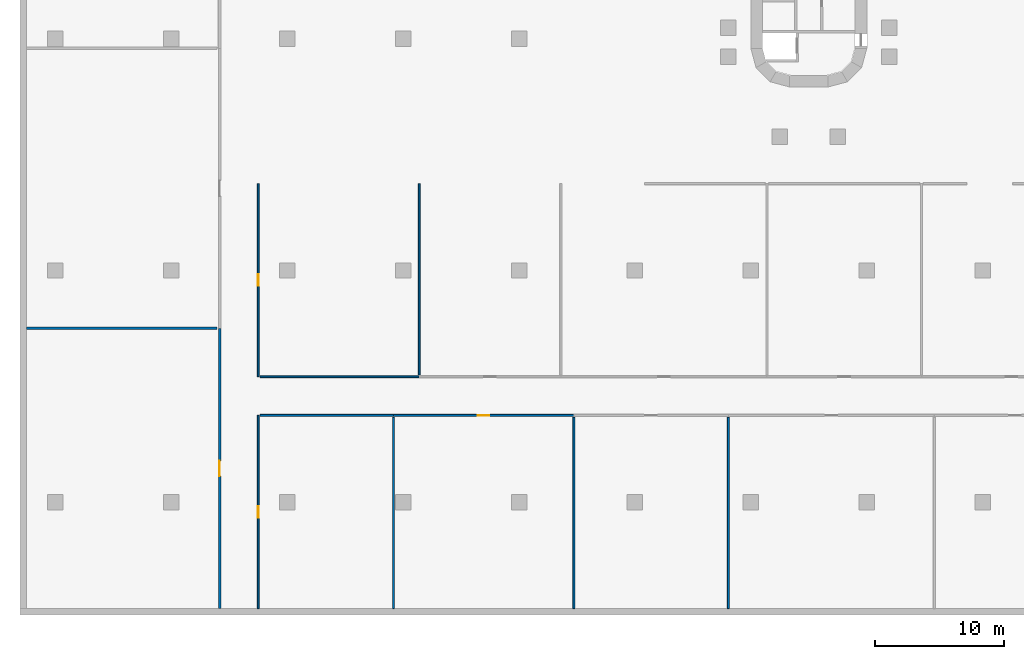
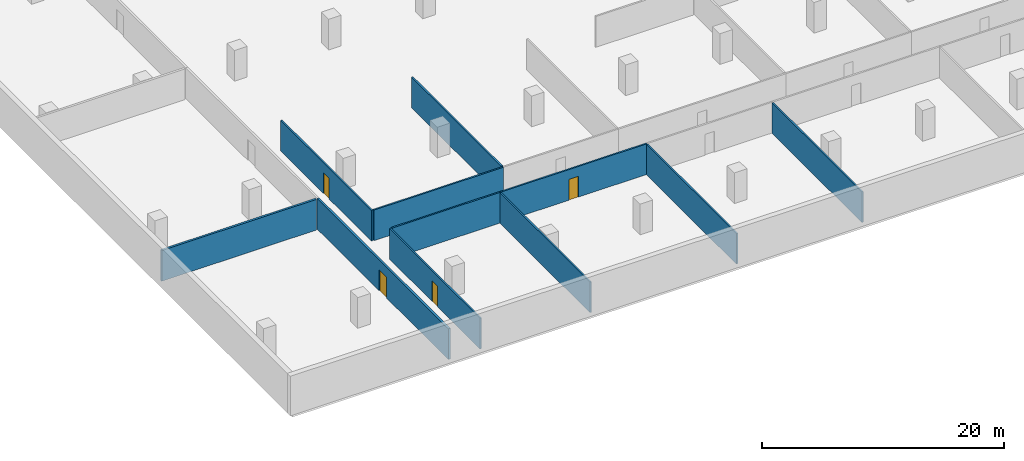
# One storey, part 2 of 11: 11 walls, 4 doors, 4 openings.
"""IFC4 building model written with IfcOpenShell, lengths in metres."""

import ifcopenshell
import ifcopenshell.guid

model = None  # the IFC model being written
_history = None  # IfcOwnerHistory: only IFC2X3 demands one
_inside = {}  # id of a spatial element -> (the spatial element, [elements in it])
_under = {}  # id of a project, library or spatial element -> (it, [spatial elements below it])
_declared = {}  # id of a project -> (the project, [libraries it declares])
_typed = {}  # id of a type object -> (the type object, [elements of that type])
_made_of = {}  # id of a material, layer set ... -> (it, [elements and type objects made of it])


def new_model(schema):
    """Start an empty IFC model of exactly this schema.

    Asked for "IFC4X3", IfcOpenShell would pick the latest addendum, in which some entities
    have other attributes; the version numbers below select the first issue.
    IFC2X3 requires an IfcOwnerHistory on every rooted entity: one is made here for all.
    """
    global model, _history
    if schema == "IFC4X3":
        model = ifcopenshell.file(schema_version=(4, 3, 0, 0))
    else:
        model = ifcopenshell.file(schema=schema)
    _inside.clear()
    _under.clear()
    _declared.clear()
    _typed.clear()
    _made_of.clear()
    _history = None
    if model.schema == "IFC2X3":
        org = make("IfcOrganization", Name="unknown")
        user = make(
            "IfcPersonAndOrganization",
            ThePerson=make("IfcPerson", FamilyName="unknown"),
            TheOrganization=org,
        )
        app = make(
            "IfcApplication",
            ApplicationDeveloper=org,
            Version="unknown",
            ApplicationFullName="unknown",
            ApplicationIdentifier="unknown",
        )
        _history = make(
            "IfcOwnerHistory",
            OwningUser=user,
            OwningApplication=app,
            ChangeAction="ADDED",
            CreationDate=0,
        )
    return model


def make(cls, **values):
    """One entity of the class cls with the attributes given. An attribute that is None is left unset."""
    return model.create_entity(
        cls, **{name: value for name, value in values.items() if value is not None}
    )


def rooted(cls, **values):
    """An entity with a GlobalId (a new one), such as an element, a storey or a relation."""
    return make(cls, GlobalId=ifcopenshell.guid.new(), OwnerHistory=_history, **values)


def si_unit(unit_type, name, prefix=None):
    """IfcSIUnit, for example si_unit("LENGTHUNIT", "METRE", prefix="MILLI")."""
    return make("IfcSIUnit", UnitType=unit_type, Prefix=prefix, Name=name)


def assignment(units):
    """IfcUnitAssignment: the units of a project."""
    return None if units is None else make("IfcUnitAssignment", Units=units)


def point(xyz):
    """IfcCartesianPoint."""
    return None if xyz is None else make("IfcCartesianPoint", Coordinates=xyz)


def direction(xyz):
    """IfcDirection."""
    return None if xyz is None else make("IfcDirection", DirectionRatios=xyz)


def frame(location, z_axis=None, x_axis=None):
    """IfcAxis2Placement3D, a coordinate frame: its origin and axes. An axis left out is left unset."""
    return make(
        "IfcAxis2Placement3D",
        Location=point(location),
        Axis=direction(z_axis),
        RefDirection=direction(x_axis),
    )


def frame_2d(location, x_axis=None):
    """IfcAxis2Placement2D, a coordinate frame in the plane: its origin and x axis."""
    return make(
        "IfcAxis2Placement2D", Location=point(location), RefDirection=direction(x_axis)
    )


def origin():
    """The frame at (0, 0, 0) with its axes left unset."""
    return frame((0.0, 0.0, 0.0))


def place(relative_to, where):
    """IfcLocalPlacement: puts the frame where relative to a parent placement (None: the world)."""
    return make(
        "IfcLocalPlacement", PlacementRelTo=relative_to, RelativePlacement=where
    )


def context(
    kind, dimensions, precision=None, world=None, true_north=None, identifier=None
):
    """IfcGeometricRepresentationContext, for example the 3D "Model" context."""
    return make(
        "IfcGeometricRepresentationContext",
        ContextIdentifier=identifier,
        ContextType=kind,
        CoordinateSpaceDimension=dimensions,
        Precision=precision,
        WorldCoordinateSystem=world,
        TrueNorth=true_north,
    )


def subcontext(parent, identifier, kind, view, scale=None):
    """IfcGeometricRepresentationSubContext, for example "Body" below "Model"."""
    return make(
        "IfcGeometricRepresentationSubContext",
        ContextIdentifier=identifier,
        ContextType=kind,
        ParentContext=parent,
        TargetScale=scale,
        TargetView=view,
    )


def project(units=None, contexts=None):
    """IfcProject with its units and contexts."""
    return rooted(
        "IfcProject",
        Name="project",
        RepresentationContexts=contexts,
        UnitsInContext=assignment(units),
    )


def spatial(cls, under=None, at=None, **own):
    """A site, building, storey or space (cls), placed at a placement, below another one or the project."""
    s = rooted(cls, ObjectPlacement=at, **own)
    if under is not None:
        _under.setdefault(under.id(), (under, []))[1].append(s)
    return s


def profile(cls, at=None, kind="AREA", **sizes):
    """A parametric profile (cls). Its sizes go by their IFC names, for example OverallWidth=200.0."""
    return make(cls, ProfileType=kind, Position=at, **sizes)


def rectangle(**sizes):
    """IfcRectangleProfileDef."""
    return profile("IfcRectangleProfileDef", **sizes)


def extrude(swept, where, along, depth):
    """IfcExtrudedAreaSolid: the profile swept, set in the frame where, extruded along a direction by depth."""
    return make(
        "IfcExtrudedAreaSolid",
        SweptArea=swept,
        Position=where,
        ExtrudedDirection=direction(along),
        Depth=depth,
    )


def shape(context_of_items, identifier, shape_type, items):
    """IfcShapeRepresentation: the items that make up one representation, for example the "Body"."""
    return make(
        "IfcShapeRepresentation",
        ContextOfItems=context_of_items,
        RepresentationIdentifier=identifier,
        RepresentationType=shape_type,
        Items=items,
    )


def material(Name=None, Category=None):
    """IfcMaterial."""
    return make("IfcMaterial", Name=Name, Category=Category)


def layer(
    of_material, thickness, ventilated=None, Name=None, Category=None, Priority=None
):
    """IfcMaterialLayer: one layer of a wall or slab, of a material (None: an air gap)."""
    return make(
        "IfcMaterialLayer",
        Material=of_material,
        LayerThickness=thickness,
        IsVentilated=ventilated,
        Name=Name,
        Category=Category,
        Priority=Priority,
    )


def layer_set(layers, Name=None):
    """IfcMaterialLayerSet."""
    return make("IfcMaterialLayerSet", MaterialLayers=layers, LayerSetName=Name)


def made_of(thing, what):
    """Note that an element or type object is made of a material, layer set ...; save() writes the relation."""
    if what is not None:
        _made_of.setdefault(what.id(), (what, []))[1].append(thing)
    return thing


def type_object(cls, material=None, **own):
    """A type object (cls), such as IfcWallType, which elements share."""
    return made_of(rooted(cls, **own), material)


def element(
    cls,
    number,
    at=None,
    inside=None,
    cuts=None,
    type_object=None,
    material=None,
    context=None,
    identifier="Body",
    shape_type=None,
    held_by="IfcProductDefinitionShape",
    body=None,
    shapes=None,
    **own,
):
    """One element of the class cls, such as IfcWall. Its Tag is "e" and its number.

    at: its placement. inside: the storey or other place that contains it. cuts: it is an
    opening in that element (IfcRelVoidsElement). A single representation is given by context,
    identifier, shape_type and body (its items); several are given by shapes. held_by: the class
    of the entity that holds the representations. save() writes the other relations.
    """
    e = rooted(cls, Tag="e%d" % number, ObjectPlacement=at, **own)
    if body is not None:
        shapes = [shape(context, identifier, shape_type, body)]
    if shapes is not None:
        e.Representation = make(held_by, Representations=shapes)
    if inside is not None:
        _inside.setdefault(inside.id(), (inside, []))[1].append(e)
    if cuts is not None:
        rooted(
            "IfcRelVoidsElement", RelatingBuildingElement=cuts, RelatedOpeningElement=e
        )
    if type_object is not None:
        _typed.setdefault(type_object.id(), (type_object, []))[1].append(e)
    return made_of(e, material)


def fill(opening, filler):
    """IfcRelFillsElement: the door or window that sits in an opening."""
    return rooted(
        "IfcRelFillsElement",
        RelatingOpeningElement=opening,
        RelatedBuildingElement=filler,
    )


def aggregate(whole, parts):
    """IfcRelAggregates: a whole, such as a stair, and the parts it consists of."""
    return rooted("IfcRelAggregates", RelatingObject=whole, RelatedObjects=parts)


def save(model, path):
    """Write the relations noted so far, then the file.

    IfcRelAggregates (storeys below a building ...), IfcRelContainedInSpatialStructure (elements
    in a storey), IfcRelDefinesByType, IfcRelAssociatesMaterial and IfcRelDeclares: one each for
    every whole, place, type object, material and project.
    """
    for whole, parts in _under.values():
        aggregate(whole, parts)
    for where, things in _inside.values():
        rooted(
            "IfcRelContainedInSpatialStructure",
            RelatedElements=things,
            RelatingStructure=where,
        )
    for kind, things in _typed.values():
        rooted("IfcRelDefinesByType", RelatedObjects=things, RelatingType=kind)
    for what, things in _made_of.values():
        rooted("IfcRelAssociatesMaterial", RelatedObjects=things, RelatingMaterial=what)
    for by, libraries in _declared.values():
        rooted("IfcRelDeclares", RelatingContext=by, RelatedDefinitions=libraries)
    model.write(path)


model = new_model("IFC4")

# Units and contexts
model_context = context("Model", 3, precision=1e-05, world=origin(), true_north=direction((0.0, 1.0)))
body_context = subcontext(model_context, "Body", "Model", "MODEL_VIEW")
ifc_project = project(units=[si_unit("LENGTHUNIT", "METRE"), si_unit("AREAUNIT", "SQUARE_METRE"), si_unit("VOLUMEUNIT", "CUBIC_METRE"), si_unit("PLANEANGLEUNIT", "RADIAN"), si_unit("MASSUNIT", "GRAM", prefix="KILO")], contexts=[model_context])

# Site, building, storey
site_placement = place(None, origin())
site = spatial("IfcSite", under=ifc_project, at=site_placement, CompositionType="ELEMENT")
building_placement = place(site_placement, origin())
building = spatial("IfcBuilding", under=site, at=building_placement, Name="Zarbagh Exchange Tower", CompositionType="ELEMENT")
storey_placement = place(building_placement, frame((0.0, 0.0, -4.0)))
storey = spatial("IfcBuildingStorey", under=building, at=storey_placement, Name="B1", CompositionType="ELEMENT", Elevation=-4.0)

# Wall, opening, door
ifc_material_1 = material(Name="Plasterboard partition")
ifc_layer_1 = layer(ifc_material_1, 0.14990234375)
ifc_layer_set_1 = layer_set([ifc_layer_1], Name="Board partition 150")
wall_type_1 = type_object("IfcWallType", Name="Board partition 150", PredefinedType="PARTITIONING", material=ifc_layer_set_1)
wall_1_placement = place(storey_placement, frame((-42.75, -54.75, 0.0), z_axis=(0.0, 0.0, 1.0), x_axis=(0.0, -1.0, 0.0)))
wall_1 = element("IfcWall", 1, at=wall_1_placement, inside=storey, type_object=wall_type_1, Name="WL-B1-W007", PredefinedType="PARTITIONING", context=body_context, shape_type="SweptSolid", body=[
    extrude(rectangle(XDim=15.0, YDim=0.14990234375, at=frame_2d((7.5, 0.0))), origin(), (0.0, 0.0, 1.0), 3.10009765625),
])
opening_1_placement = place(wall_1_placement, frame((7.050048828125, 0.0, 0.0)))
opening_1 = element("IfcOpeningElement", 2, at=opening_1_placement, cuts=wall_1, Name="Opening D07", PredefinedType="OPENING", context=body_context, shape_type="SweptSolid", body=[
    extrude(rectangle(XDim=0.89990234375, YDim=2.10009765625, at=frame_2d((0.449951171875, 1.050048828125))), frame((0.0, 0.0849609375, 0.0), z_axis=(0.0, -1.0, 0.0), x_axis=(1.0, 0.0, 0.0)), (0.0, 0.0, 1.0), 0.169921875),
])
ifc_material_2 = material(Name="Timber door leaf", Category="wood")
door_type_1 = type_object("IfcDoorType", Name="Door single 900x2100", OperationType="SINGLE_SWING_LEFT", PredefinedType="DOOR", material=ifc_material_2)
door_1_placement = place(opening_1_placement, origin())
door_1 = element("IfcDoor", 3, at=door_1_placement, inside=storey, type_object=door_type_1, Name="D07", OperationType="SINGLE_SWING_LEFT", OverallHeight=2.10009765625, OverallWidth=0.89990234375, PredefinedType="DOOR", context=body_context, shape_type="SweptSolid", body=[
    extrude(rectangle(XDim=0.89990234375, YDim=2.10009765625, at=frame_2d((0.449951171875, 1.050048828125))), frame((0.0, 0.02490234375, 0.0), z_axis=(0.0, -1.0, 0.0), x_axis=(1.0, 0.0, 0.0)), (0.0, 0.0, 1.0), 0.050048828125),
])
fill(opening_1, door_1)

wall_2_placement = place(storey_placement, frame((-42.75, -36.75, 0.0), z_axis=(0.0, 0.0, 1.0), x_axis=(0.0, -1.0, 0.0)))
wall_2 = element("IfcWall", 4, at=wall_2_placement, inside=storey, type_object=wall_type_1, Name="WL-B1-W008", PredefinedType="PARTITIONING", context=body_context, shape_type="SweptSolid", body=[
    extrude(rectangle(XDim=15.0, YDim=0.14990234375, at=frame_2d((7.5, 0.0))), origin(), (0.0, 0.0, 1.0), 3.10009765625),
])
opening_2_placement = place(wall_2_placement, frame((7.050048828125, 0.0, 0.0)))
opening_2 = element("IfcOpeningElement", 5, at=opening_2_placement, cuts=wall_2, Name="Opening D49", PredefinedType="OPENING", context=body_context, shape_type="SweptSolid", body=[
    extrude(rectangle(XDim=0.89990234375, YDim=2.10009765625, at=frame_2d((0.449951171875, 1.050048828125))), frame((0.0, 0.0849609375, 0.0), z_axis=(0.0, -1.0, 0.0), x_axis=(1.0, 0.0, 0.0)), (0.0, 0.0, 1.0), 0.169921875),
])
door_2_placement = place(opening_2_placement, origin())
door_2 = element("IfcDoor", 6, at=door_2_placement, inside=storey, type_object=door_type_1, Name="D08", OperationType="SINGLE_SWING_LEFT", OverallHeight=2.10009765625, OverallWidth=0.89990234375, PredefinedType="DOOR", context=body_context, shape_type="SweptSolid", body=[
    extrude(rectangle(XDim=0.89990234375, YDim=2.10009765625, at=frame_2d((0.449951171875, 1.050048828125))), frame((0.0, 0.02490234375, 0.0), z_axis=(0.0, -1.0, 0.0), x_axis=(1.0, 0.0, 0.0)), (0.0, 0.0, 1.0), 0.050048828125),
])
fill(opening_2, door_2)

# Wall
wall_3_placement = place(storey_placement, frame((-32.25, -54.75, 0.0), z_axis=(0.0, 0.0, 1.0), x_axis=(-1.0, 0.0, 0.0)))
element("IfcWall", 7, at=wall_3_placement, inside=storey, type_object=wall_type_1, Name="WL-B1-W014", PredefinedType="PARTITIONING", context=body_context, shape_type="SweptSolid", body=[
    extrude(rectangle(XDim=10.35009765625, YDim=0.14990234375, at=frame_2d((5.175048828125, 0.0))), origin(), (0.0, 0.0, 1.0), 3.10009765625),
])

# Wall, opening, door
wall_4_placement = place(storey_placement, frame((-18.25, -54.75, 0.0), z_axis=(0.0, 0.0, 1.0), x_axis=(-1.0, 0.0, 0.0)))
wall_4 = element("IfcWall", 8, at=wall_4_placement, inside=storey, type_object=wall_type_1, Name="WL-B1-W015", PredefinedType="PARTITIONING", context=body_context, shape_type="SweptSolid", body=[
    extrude(rectangle(XDim=14.0, YDim=0.14990234375, at=frame_2d((7.0, 0.0))), origin(), (0.0, 0.0, 1.0), 3.10009765625),
])
opening_3_placement = place(wall_4_placement, frame((6.550048828125, 0.0, 0.0)))
opening_3 = element("IfcOpeningElement", 9, at=opening_3_placement, cuts=wall_4, Name="Opening D09", PredefinedType="OPENING", context=body_context, shape_type="SweptSolid", body=[
    extrude(rectangle(XDim=0.89990234375, YDim=2.10009765625, at=frame_2d((0.449951171875, 1.050048828125))), frame((0.0, 0.0849609375, 0.0), z_axis=(0.0, -1.0, 0.0), x_axis=(1.0, 0.0, 0.0)), (0.0, 0.0, 1.0), 0.169921875),
])
door_3_placement = place(opening_3_placement, origin())
door_3 = element("IfcDoor", 10, at=door_3_placement, inside=storey, type_object=door_type_1, Name="D09", OperationType="SINGLE_SWING_LEFT", OverallHeight=2.10009765625, OverallWidth=0.89990234375, PredefinedType="DOOR", context=body_context, shape_type="SweptSolid", body=[
    extrude(rectangle(XDim=0.89990234375, YDim=2.10009765625, at=frame_2d((0.449951171875, 1.050048828125))), frame((0.0, 0.02490234375, 0.0), z_axis=(0.0, -1.0, 0.0), x_axis=(1.0, 0.0, 0.0)), (0.0, 0.0, 1.0), 0.050048828125),
])
fill(opening_3, door_3)

# Walls
wall_5_placement = place(storey_placement, frame((-42.60009765625, -51.75, 0.0), z_axis=(0.0, 0.0, 1.0), x_axis=(1.0, 0.0, 0.0)))
element("IfcWall", 11, at=wall_5_placement, inside=storey, type_object=wall_type_1, Name="WL-B1-W021", PredefinedType="PARTITIONING", context=body_context, shape_type="SweptSolid", body=[
    extrude(rectangle(XDim=12.35009765625, YDim=0.14990234375, at=frame_2d((6.175048828125, 0.0))), origin(), (0.0, 0.0, 1.0), 3.10009765625),
])
for number, where, z_axis, x_axis, name in (
    (12, (-32.25, -54.89990234375, 0.0), (0.0, 0.0, 1.0), (0.0, -1.0, 0.0), "WL-B1-W030"),
    (13, (-18.25, -54.89990234375, 0.0), (0.0, 0.0, 1.0), (0.0, -1.0, 0.0), "WL-B1-W031"),
    (14, (-6.25, -54.89990234375, 0.0), (0.0, 0.0, 1.0), (0.0, -1.0, 0.0), "WL-B1-W032"),
    (15, (-30.25, -36.75, 0.0), (0.0, 0.0, 1.0), (0.0, -1.0, 0.0), "WL-B1-W038"),
):
    element("IfcWall", number, at=place(storey_placement, frame(where, z_axis=z_axis, x_axis=x_axis)), inside=storey, type_object=wall_type_1, Name=name, PredefinedType="PARTITIONING", context=body_context, shape_type="SweptSolid", body=[
        extrude(rectangle(XDim=14.85009765625, YDim=0.14990234375, at=frame_2d((7.425048828125, 0.0))), origin(), (0.0, 0.0, 1.0), 3.10009765625),
    ])

# Wall, opening, door
ifc_material_3 = material(Name="Concrete block partition", Category="concrete")
ifc_layer_2 = layer(ifc_material_3, 0.199951171875)
ifc_layer_set_2 = layer_set([ifc_layer_2], Name="Fire-rated block partition 200 EI 120")
wall_type_2 = type_object("IfcWallType", Name="Fire-rated block partition 200 EI 120", PredefinedType="PARTITIONING", material=ifc_layer_set_2)
wall_6_placement = place(storey_placement, frame((-45.75, -69.75, 0.0), z_axis=(0.0, 0.0, 1.0), x_axis=(0.0, 1.0, 0.0)))
wall_6 = element("IfcWall", 16, at=wall_6_placement, inside=storey, type_object=wall_type_2, Name="WL-B1-W001", PredefinedType="PARTITIONING", context=body_context, shape_type="SweptSolid", body=[
    extrude(rectangle(XDim=21.75, YDim=0.199951171875, at=frame_2d((10.875, 0.0))), origin(), (0.0, 0.0, 1.0), 3.10009765625),
])
opening_4_placement = place(wall_6_placement, frame((10.27490234375, 0.0, 0.0)))
opening_4 = element("IfcOpeningElement", 17, at=opening_4_placement, cuts=wall_6, Name="Opening D29", PredefinedType="OPENING", context=body_context, shape_type="SweptSolid", body=[
    extrude(rectangle(XDim=1.199951171875, YDim=2.10009765625, at=frame_2d((0.60009765625, 1.050048828125))), frame((0.0, 0.10986328125, 0.0), z_axis=(0.0, -1.0, 0.0), x_axis=(1.0, 0.0, 0.0)), (0.0, 0.0, 1.0), 0.219970703125),
])
ifc_material_4 = material(Name="Steel door set", Category="steel")
door_type_2 = type_object("IfcDoorType", Name="Door single 1200x2100 EI 120", OperationType="SINGLE_SWING_LEFT", PredefinedType="DOOR", material=ifc_material_4)
door_4_placement = place(opening_4_placement, origin())
door_4 = element("IfcDoor", 18, at=door_4_placement, inside=storey, type_object=door_type_2, Name="D01", OperationType="SINGLE_SWING_LEFT", OverallHeight=2.10009765625, OverallWidth=1.199951171875, PredefinedType="DOOR", context=body_context, shape_type="SweptSolid", body=[
    extrude(rectangle(XDim=1.199951171875, YDim=2.10009765625, at=frame_2d((0.60009765625, 1.050048828125))), frame((0.0, 0.02490234375, 0.0), z_axis=(0.0, -1.0, 0.0), x_axis=(1.0, 0.0, 0.0)), (0.0, 0.0, 1.0), 0.050048828125),
])
fill(opening_4, door_4)

# Wall
wall_7_placement = place(storey_placement, frame((-60.75, -48.0, 0.0), z_axis=(0.0, 0.0, 1.0), x_axis=(1.0, 0.0, 0.0)))
element("IfcWall", 19, at=wall_7_placement, inside=storey, type_object=wall_type_2, Name="WL-B1-W009", PredefinedType="PARTITIONING", context=body_context, shape_type="SweptSolid", body=[
    extrude(rectangle(XDim=14.800048828125, YDim=0.199951171875, at=frame_2d((7.39990234375, 0.0))), origin(), (0.0, 0.0, 1.0), 3.10009765625),
])

save(model, "model.ifc")
